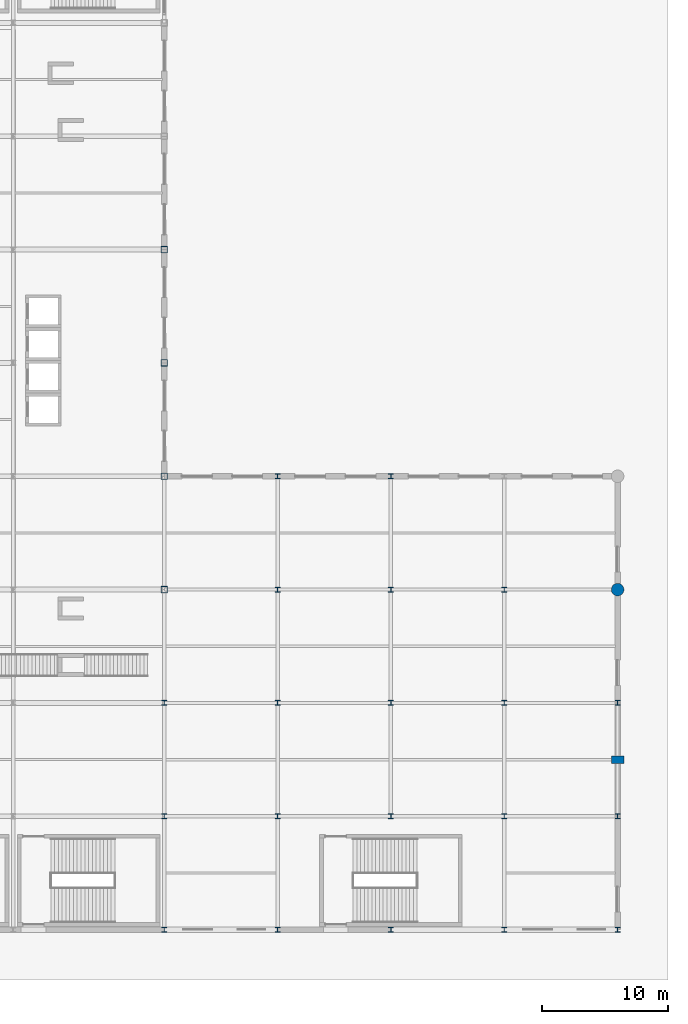
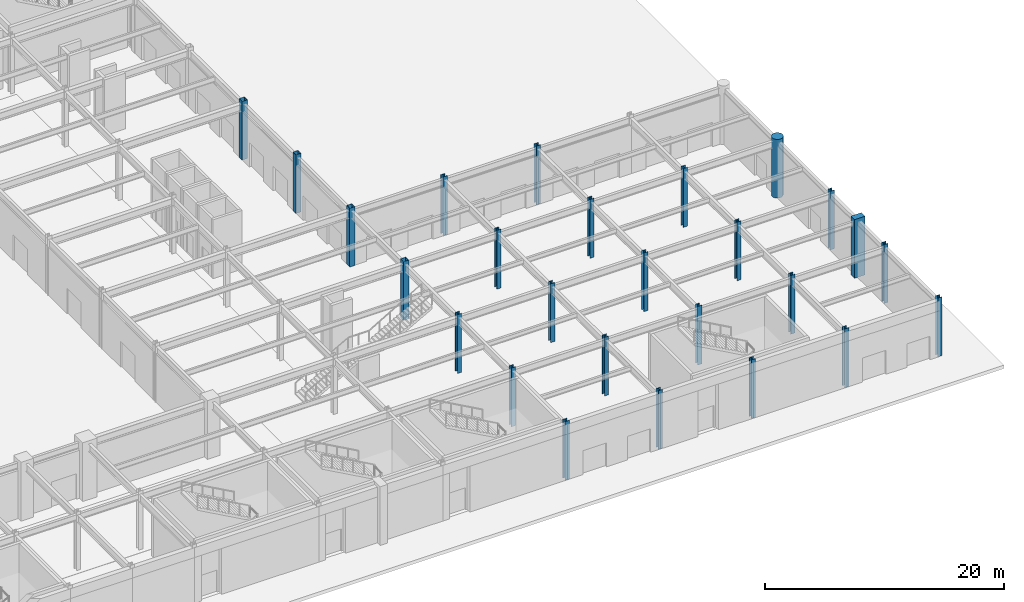
# One storey, part 11 of 44: 26 columns.
"""IFC4 building model written with IfcOpenShell, lengths in metres."""

from ifc_helpers import new_model, si_unit, direction, frame, origin, origin_2d, place, context, subcontext, project, spatial, rectangle, hollow_rectangle, circle, i_section, extrude, material, material_profile, profile_set, type_object, element, save


model = new_model("IFC4")

# Units and contexts
model_context = context("Model", 3, precision=1e-05, world=origin(), true_north=direction((0.0, 1.0)))
body_context = subcontext(model_context, "Body", "Model", "MODEL_VIEW")
ifc_project = project(units=[si_unit("LENGTHUNIT", "METRE"), si_unit("AREAUNIT", "SQUARE_METRE"), si_unit("VOLUMEUNIT", "CUBIC_METRE"), si_unit("PLANEANGLEUNIT", "RADIAN"), si_unit("MASSUNIT", "GRAM", prefix="KILO")], contexts=[model_context])

# Site, building, storey
site_placement = place(None, origin())
site = spatial("IfcSite", under=ifc_project, at=site_placement, CompositionType="ELEMENT")
building_placement = place(site_placement, origin())
building = spatial("IfcBuilding", under=site, at=building_placement, Name="Kaldorvane Square Convention Centre", CompositionType="ELEMENT")
storey_placement = place(building_placement, origin())
storey = spatial("IfcBuildingStorey", under=building, at=storey_placement, Name="L00", CompositionType="ELEMENT", Elevation=0.0)

# Columns
ifc_material_1 = material(Name="Steel ASTM A500 Gr. C", Category="steel")
ifc_material_profile_1 = material_profile(ifc_material_1, hollow_rectangle(XDim=0.50799560546875, YDim=0.50799560546875, WallThickness=0.014801025390625, at=origin_2d()), Name="HSS20X20X5/8")
ifc_profile_set_1 = profile_set([ifc_material_profile_1], Name="Steel ASTM A500 Gr. C")
column_type_1 = type_object("IfcColumnType", Name="COL-HSS-20", PredefinedType="COLUMN", material=ifc_profile_set_1)
for number, where, z_axis, x_axis, name in (
    (1, (138.0, 27.0, 0.0), (0.0, 0.0, 1.0), (1.0, 0.0, 0.0), "Column SC-13 (L00)"),
    (2, (138.0, 36.0, 0.0), (0.0, 0.0, 1.0), (1.0, 0.0, 0.0), "Column SC-13 (L00)"),
    (3, (138.0, 45.0, 0.0), (0.0, 0.0, 1.0), (1.0, 0.0, 0.0), "Column SC-13 (L00)"),
    (4, (138.0, 54.0, 0.0), (0.0, 0.0, 1.0), (1.0, 0.0, 0.0), "Column SC-13 (L00)"),
):
    element("IfcColumn", number, at=place(storey_placement, frame(where, z_axis=z_axis, x_axis=x_axis)), inside=storey, type_object=column_type_1, Name=name, PredefinedType="COLUMN", context=body_context, shape_type="SweptSolid", body=[
        extrude(hollow_rectangle(XDim=0.50799560546875, YDim=0.50799560546875, WallThickness=0.014801025390625, at=origin_2d()), origin(), (0.0, 0.0, 1.0), 6.0),
    ])
ifc_material_2 = material(Name="Concrete f'c = 55 MPa (Normalweight)", Category="concrete")
ifc_material_profile_2 = material_profile(ifc_material_2, circle(Radius=0.5, at=origin_2d()), Name="RC-D1000")
ifc_profile_set_2 = profile_set([ifc_material_profile_2], Name="Concrete f'c = 55 MPa (Normalweight)")
column_type_2 = type_object("IfcColumnType", Name="COL-RC-D1000", PredefinedType="COLUMN", material=ifc_profile_set_2)
column_1_placement = place(storey_placement, frame((174.0, 27.0, 0.0), z_axis=(0.0, 0.0, 1.0), x_axis=(1.0, 0.0, 0.0)))
element("IfcColumn", 5, at=column_1_placement, inside=storey, type_object=column_type_2, Name="Column CC-08 (L00)", PredefinedType="COLUMN", context=body_context, shape_type="SweptSolid", body=[
    extrude(circle(Radius=0.5, at=origin_2d()), origin(), (0.0, 0.0, 1.0), 6.0),
])
ifc_material_3 = material(Name="Steel ASTM A992 Gr. 50", Category="steel")
ifc_material_profile_3 = material_profile(ifc_material_3, i_section(OverallWidth=0.40130615234375, OverallDepth=0.3993072509765625, WebThickness=0.02490234375, FlangeThickness=0.0395965576171875, FilletRadius=0.0305023193359375, at=origin_2d()), Name="W14X211")
ifc_profile_set_3 = profile_set([ifc_material_profile_3], Name="Steel ASTM A992 Gr. 50")
column_type_3 = type_object("IfcColumnType", Name="COL-STL-211", PredefinedType="COLUMN", material=ifc_profile_set_3)
for number, where, z_axis, x_axis, name in (
    (6, (138.0, 0.0, 0.0), (0.0, 0.0, 1.0), (1.0, 0.0, 0.0), "Column SC-08 (L00)"),
    (7, (138.0, 9.0, 0.0), (0.0, 0.0, 1.0), (1.0, 0.0, 0.0), "Column SC-08 (L00)"),
    (8, (138.0, 18.0, 0.0), (0.0, 0.0, 1.0), (1.0, 0.0, 0.0), "Column SC-08 (L00)"),
    (9, (147.0, 0.0, 0.0), (0.0, 0.0, 1.0), (1.0, 0.0, 0.0), "Column SC-08 (L00)"),
    (10, (147.0, 9.0, 0.0), (0.0, 0.0, 1.0), (1.0, 0.0, 0.0), "Column SC-08 (L00)"),
    (11, (147.0, 18.0, 0.0), (0.0, 0.0, 1.0), (1.0, 0.0, 0.0), "Column SC-08 (L00)"),
    (12, (147.0, 27.0, 0.0), (0.0, 0.0, 1.0), (1.0, 0.0, 0.0), "Column SC-08 (L00)"),
    (13, (147.0, 36.0, 0.0), (0.0, 0.0, 1.0), (1.0, 0.0, 0.0), "Column SC-08 (L00)"),
    (14, (156.0, 0.0, 0.0), (0.0, 0.0, 1.0), (1.0, 0.0, 0.0), "Column SC-08 (L00)"),
    (15, (156.0, 9.0, 0.0), (0.0, 0.0, 1.0), (1.0, 0.0, 0.0), "Column SC-08 (L00)"),
    (16, (156.0, 18.0, 0.0), (0.0, 0.0, 1.0), (1.0, 0.0, 0.0), "Column SC-08 (L00)"),
    (17, (156.0, 27.0, 0.0), (0.0, 0.0, 1.0), (1.0, 0.0, 0.0), "Column SC-08 (L00)"),
    (18, (156.0, 36.0, 0.0), (0.0, 0.0, 1.0), (1.0, 0.0, 0.0), "Column SC-08 (L00)"),
    (19, (165.0, 0.0, 0.0), (0.0, 0.0, 1.0), (1.0, 0.0, 0.0), "Column SC-08 (L00)"),
    (20, (165.0, 9.0, 0.0), (0.0, 0.0, 1.0), (1.0, 0.0, 0.0), "Column SC-08 (L00)"),
    (21, (165.0, 18.0, 0.0), (0.0, 0.0, 1.0), (1.0, 0.0, 0.0), "Column SC-08 (L00)"),
    (22, (165.0, 27.0, 0.0), (0.0, 0.0, 1.0), (1.0, 0.0, 0.0), "Column SC-08 (L00)"),
    (23, (174.0, 0.0, 0.0), (0.0, 0.0, 1.0), (1.0, 0.0, 0.0), "Column SC-08 (L00)"),
    (24, (174.0, 9.0, 0.0), (0.0, 0.0, 1.0), (1.0, 0.0, 0.0), "Column SC-08 (L00)"),
    (25, (174.0, 18.0, 0.0), (0.0, 0.0, 1.0), (1.0, 0.0, 0.0), "Column SC-08 (L00)"),
):
    element("IfcColumn", number, at=place(storey_placement, frame(where, z_axis=z_axis, x_axis=x_axis)), inside=storey, type_object=column_type_3, Name=name, PredefinedType="COLUMN", context=body_context, shape_type="SweptSolid", body=[
        extrude(i_section(OverallWidth=0.40130615234375, OverallDepth=0.3993072509765625, WebThickness=0.02490234375, FlangeThickness=0.0395965576171875, FilletRadius=0.0305023193359375, at=origin_2d()), origin(), (0.0, 0.0, 1.0), 6.0),
    ])
ifc_material_profile_4 = material_profile(ifc_material_2, rectangle(XDim=0.600006103515625, YDim=1.0, at=origin_2d()), Name="PIL1000X600")
ifc_profile_set_4 = profile_set([ifc_material_profile_4], Name="Concrete f'c = 55 MPa (Normalweight)")
column_type_4 = type_object("IfcColumnType", Name="PIL-BRUT-1000", PredefinedType="PILASTER", material=ifc_profile_set_4)
column_2_placement = place(storey_placement, frame((174.0, 13.5, 0.0), z_axis=(0.0, 0.0, 1.0), x_axis=(0.0, 1.0, 0.0)))
element("IfcColumn", 26, at=column_2_placement, inside=storey, type_object=column_type_4, Name="Brutalist Colonnade Pilaster (L00)", PredefinedType="PILASTER", context=body_context, shape_type="SweptSolid", body=[
    extrude(rectangle(XDim=0.600006103515625, YDim=1.0, at=origin_2d()), origin(), (0.0, 0.0, 1.0), 6.0),
])

save(model, "model.ifc")
